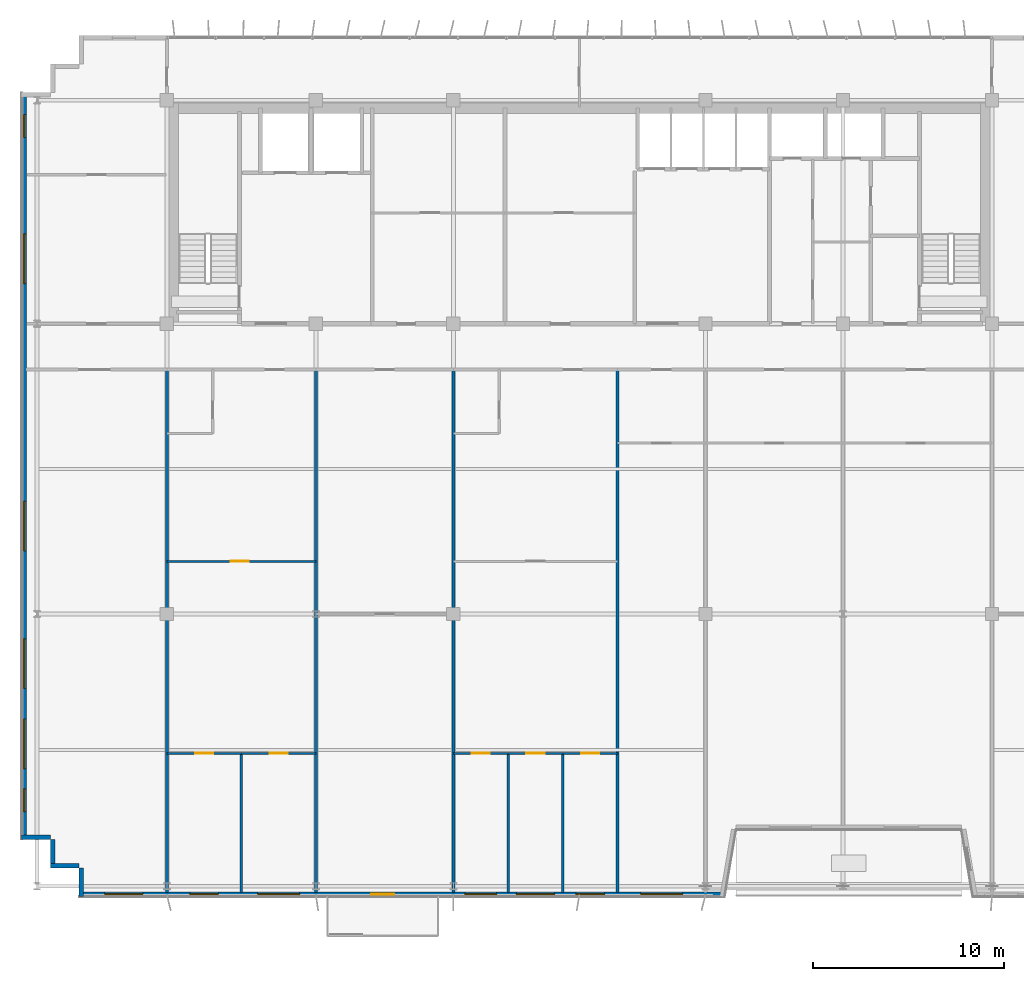
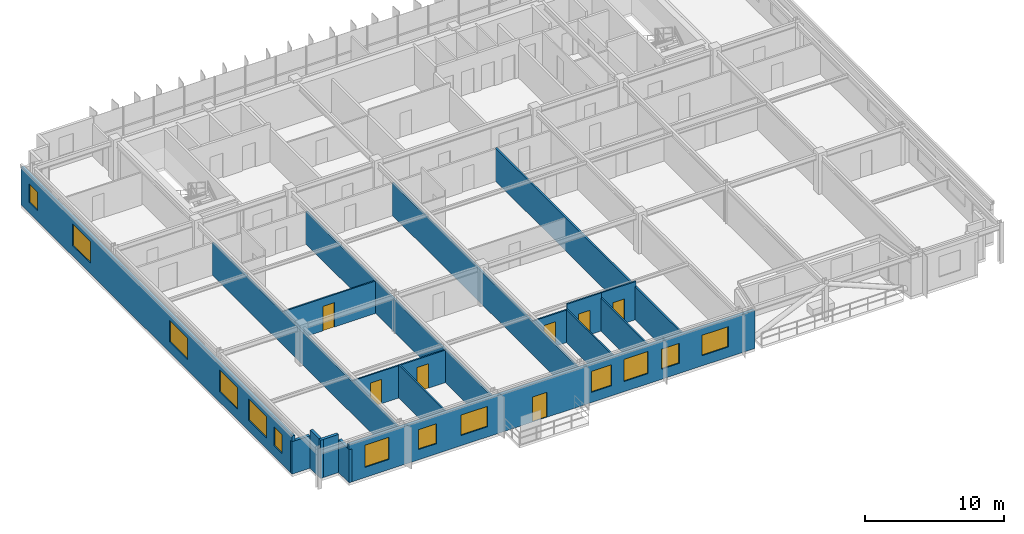
# One storey, part 17 of 23: 19 walls, 13 windows, 7 doors, 20 openings.
"""IFC4 building model written with IfcOpenShell, lengths in metres."""

import ifcopenshell
import ifcopenshell.guid

model = None  # the IFC model being written
_history = None  # IfcOwnerHistory: only IFC2X3 demands one
_inside = {}  # id of a spatial element -> (the spatial element, [elements in it])
_under = {}  # id of a project, library or spatial element -> (it, [spatial elements below it])
_declared = {}  # id of a project -> (the project, [libraries it declares])
_typed = {}  # id of a type object -> (the type object, [elements of that type])
_made_of = {}  # id of a material, layer set ... -> (it, [elements and type objects made of it])


def new_model(schema):
    """Start an empty IFC model of exactly this schema.

    Asked for "IFC4X3", IfcOpenShell would pick the latest addendum, in which some entities
    have other attributes; the version numbers below select the first issue.
    IFC2X3 requires an IfcOwnerHistory on every rooted entity: one is made here for all.
    """
    global model, _history
    if schema == "IFC4X3":
        model = ifcopenshell.file(schema_version=(4, 3, 0, 0))
    else:
        model = ifcopenshell.file(schema=schema)
    _inside.clear()
    _under.clear()
    _declared.clear()
    _typed.clear()
    _made_of.clear()
    _history = None
    if model.schema == "IFC2X3":
        org = make("IfcOrganization", Name="unknown")
        user = make(
            "IfcPersonAndOrganization",
            ThePerson=make("IfcPerson", FamilyName="unknown"),
            TheOrganization=org,
        )
        app = make(
            "IfcApplication",
            ApplicationDeveloper=org,
            Version="unknown",
            ApplicationFullName="unknown",
            ApplicationIdentifier="unknown",
        )
        _history = make(
            "IfcOwnerHistory",
            OwningUser=user,
            OwningApplication=app,
            ChangeAction="ADDED",
            CreationDate=0,
        )
    return model


def make(cls, **values):
    """One entity of the class cls with the attributes given. An attribute that is None is left unset."""
    return model.create_entity(
        cls, **{name: value for name, value in values.items() if value is not None}
    )


def rooted(cls, **values):
    """An entity with a GlobalId (a new one), such as an element, a storey or a relation."""
    return make(cls, GlobalId=ifcopenshell.guid.new(), OwnerHistory=_history, **values)


def si_unit(unit_type, name, prefix=None):
    """IfcSIUnit, for example si_unit("LENGTHUNIT", "METRE", prefix="MILLI")."""
    return make("IfcSIUnit", UnitType=unit_type, Prefix=prefix, Name=name)


def assignment(units):
    """IfcUnitAssignment: the units of a project."""
    return None if units is None else make("IfcUnitAssignment", Units=units)


def point(xyz):
    """IfcCartesianPoint."""
    return None if xyz is None else make("IfcCartesianPoint", Coordinates=xyz)


def direction(xyz):
    """IfcDirection."""
    return None if xyz is None else make("IfcDirection", DirectionRatios=xyz)


def frame(location, z_axis=None, x_axis=None):
    """IfcAxis2Placement3D, a coordinate frame: its origin and axes. An axis left out is left unset."""
    return make(
        "IfcAxis2Placement3D",
        Location=point(location),
        Axis=direction(z_axis),
        RefDirection=direction(x_axis),
    )


def frame_2d(location, x_axis=None):
    """IfcAxis2Placement2D, a coordinate frame in the plane: its origin and x axis."""
    return make(
        "IfcAxis2Placement2D", Location=point(location), RefDirection=direction(x_axis)
    )


def origin():
    """The frame at (0, 0, 0) with its axes left unset."""
    return frame((0.0, 0.0, 0.0))


def place(relative_to, where):
    """IfcLocalPlacement: puts the frame where relative to a parent placement (None: the world)."""
    return make(
        "IfcLocalPlacement", PlacementRelTo=relative_to, RelativePlacement=where
    )


def context(
    kind, dimensions, precision=None, world=None, true_north=None, identifier=None
):
    """IfcGeometricRepresentationContext, for example the 3D "Model" context."""
    return make(
        "IfcGeometricRepresentationContext",
        ContextIdentifier=identifier,
        ContextType=kind,
        CoordinateSpaceDimension=dimensions,
        Precision=precision,
        WorldCoordinateSystem=world,
        TrueNorth=true_north,
    )


def subcontext(parent, identifier, kind, view, scale=None):
    """IfcGeometricRepresentationSubContext, for example "Body" below "Model"."""
    return make(
        "IfcGeometricRepresentationSubContext",
        ContextIdentifier=identifier,
        ContextType=kind,
        ParentContext=parent,
        TargetScale=scale,
        TargetView=view,
    )


def project(units=None, contexts=None):
    """IfcProject with its units and contexts."""
    return rooted(
        "IfcProject",
        Name="project",
        RepresentationContexts=contexts,
        UnitsInContext=assignment(units),
    )


def spatial(cls, under=None, at=None, **own):
    """A site, building, storey or space (cls), placed at a placement, below another one or the project."""
    s = rooted(cls, ObjectPlacement=at, **own)
    if under is not None:
        _under.setdefault(under.id(), (under, []))[1].append(s)
    return s


def profile(cls, at=None, kind="AREA", **sizes):
    """A parametric profile (cls). Its sizes go by their IFC names, for example OverallWidth=200.0."""
    return make(cls, ProfileType=kind, Position=at, **sizes)


def rectangle(**sizes):
    """IfcRectangleProfileDef."""
    return profile("IfcRectangleProfileDef", **sizes)


def extrude(swept, where, along, depth):
    """IfcExtrudedAreaSolid: the profile swept, set in the frame where, extruded along a direction by depth."""
    return make(
        "IfcExtrudedAreaSolid",
        SweptArea=swept,
        Position=where,
        ExtrudedDirection=direction(along),
        Depth=depth,
    )


def shape(context_of_items, identifier, shape_type, items):
    """IfcShapeRepresentation: the items that make up one representation, for example the "Body"."""
    return make(
        "IfcShapeRepresentation",
        ContextOfItems=context_of_items,
        RepresentationIdentifier=identifier,
        RepresentationType=shape_type,
        Items=items,
    )


def source(mapping_origin, context_of_items, identifier, shape_type, items):
    """IfcRepresentationMap: a shape defined once, which mapped items show again and again."""
    return make(
        "IfcRepresentationMap",
        MappingOrigin=mapping_origin,
        MappedRepresentation=shape(context_of_items, identifier, shape_type, items),
    )


def transform(
    local_origin,
    x_axis=None,
    y_axis=None,
    z_axis=None,
    scale=None,
    scale2=None,
    scale3=None,
    uniform=True,
):
    """IfcCartesianTransformationOperator3D, or its non-uniform kind. x_axis, y_axis, z_axis: its Axis1, 2, 3."""
    if uniform:
        return make(
            "IfcCartesianTransformationOperator3D",
            Axis1=direction(x_axis),
            Axis2=direction(y_axis),
            LocalOrigin=point(local_origin),
            Scale=scale,
            Axis3=direction(z_axis),
        )
    return make(
        "IfcCartesianTransformationOperator3DnonUniform",
        Axis1=direction(x_axis),
        Axis2=direction(y_axis),
        LocalOrigin=point(local_origin),
        Scale=scale,
        Axis3=direction(z_axis),
        Scale2=scale2,
        Scale3=scale3,
    )


def mapped(mapping_source, mapping_target):
    """IfcMappedItem: shows the shape of a source again, moved by a transform."""
    return make(
        "IfcMappedItem", MappingSource=mapping_source, MappingTarget=mapping_target
    )


def material(Name=None, Category=None):
    """IfcMaterial."""
    return make("IfcMaterial", Name=Name, Category=Category)


def layer(
    of_material, thickness, ventilated=None, Name=None, Category=None, Priority=None
):
    """IfcMaterialLayer: one layer of a wall or slab, of a material (None: an air gap)."""
    return make(
        "IfcMaterialLayer",
        Material=of_material,
        LayerThickness=thickness,
        IsVentilated=ventilated,
        Name=Name,
        Category=Category,
        Priority=Priority,
    )


def layer_set(layers, Name=None):
    """IfcMaterialLayerSet."""
    return make("IfcMaterialLayerSet", MaterialLayers=layers, LayerSetName=Name)


def made_of(thing, what):
    """Note that an element or type object is made of a material, layer set ...; save() writes the relation."""
    if what is not None:
        _made_of.setdefault(what.id(), (what, []))[1].append(thing)
    return thing


def type_object(cls, material=None, **own):
    """A type object (cls), such as IfcWallType, which elements share."""
    return made_of(rooted(cls, **own), material)


def element(
    cls,
    number,
    at=None,
    inside=None,
    cuts=None,
    type_object=None,
    material=None,
    context=None,
    identifier="Body",
    shape_type=None,
    held_by="IfcProductDefinitionShape",
    body=None,
    shapes=None,
    **own,
):
    """One element of the class cls, such as IfcWall. Its Tag is "e" and its number.

    at: its placement. inside: the storey or other place that contains it. cuts: it is an
    opening in that element (IfcRelVoidsElement). A single representation is given by context,
    identifier, shape_type and body (its items); several are given by shapes. held_by: the class
    of the entity that holds the representations. save() writes the other relations.
    """
    e = rooted(cls, Tag="e%d" % number, ObjectPlacement=at, **own)
    if body is not None:
        shapes = [shape(context, identifier, shape_type, body)]
    if shapes is not None:
        e.Representation = make(held_by, Representations=shapes)
    if inside is not None:
        _inside.setdefault(inside.id(), (inside, []))[1].append(e)
    if cuts is not None:
        rooted(
            "IfcRelVoidsElement", RelatingBuildingElement=cuts, RelatedOpeningElement=e
        )
    if type_object is not None:
        _typed.setdefault(type_object.id(), (type_object, []))[1].append(e)
    return made_of(e, material)


def fill(opening, filler):
    """IfcRelFillsElement: the door or window that sits in an opening."""
    return rooted(
        "IfcRelFillsElement",
        RelatingOpeningElement=opening,
        RelatedBuildingElement=filler,
    )


def aggregate(whole, parts):
    """IfcRelAggregates: a whole, such as a stair, and the parts it consists of."""
    return rooted("IfcRelAggregates", RelatingObject=whole, RelatedObjects=parts)


def save(model, path):
    """Write the relations noted so far, then the file.

    IfcRelAggregates (storeys below a building ...), IfcRelContainedInSpatialStructure (elements
    in a storey), IfcRelDefinesByType, IfcRelAssociatesMaterial and IfcRelDeclares: one each for
    every whole, place, type object, material and project.
    """
    for whole, parts in _under.values():
        aggregate(whole, parts)
    for where, things in _inside.values():
        rooted(
            "IfcRelContainedInSpatialStructure",
            RelatedElements=things,
            RelatingStructure=where,
        )
    for kind, things in _typed.values():
        rooted("IfcRelDefinesByType", RelatedObjects=things, RelatingType=kind)
    for what, things in _made_of.values():
        rooted("IfcRelAssociatesMaterial", RelatedObjects=things, RelatingMaterial=what)
    for by, libraries in _declared.values():
        rooted("IfcRelDeclares", RelatingContext=by, RelatedDefinitions=libraries)
    model.write(path)


model = new_model("IFC4")

# Units and contexts
model_context = context("Model", 3, precision=1e-05, world=origin(), true_north=direction((0.0, 1.0)))
body_context = subcontext(model_context, "Body", "Model", "MODEL_VIEW")
ifc_project = project(units=[si_unit("LENGTHUNIT", "METRE"), si_unit("AREAUNIT", "SQUARE_METRE"), si_unit("VOLUMEUNIT", "CUBIC_METRE"), si_unit("PLANEANGLEUNIT", "RADIAN"), si_unit("MASSUNIT", "GRAM", prefix="KILO")], contexts=[model_context])

# Site, building, storey
site_placement = place(None, origin())
site = spatial("IfcSite", under=ifc_project, at=site_placement, CompositionType="ELEMENT")
building_placement = place(site_placement, origin())
building = spatial("IfcBuilding", under=site, at=building_placement, Name="Trelvane Seafront Commons", CompositionType="ELEMENT")
storey_placement = place(building_placement, frame((0.0, 0.0, 230.10009765625)))
storey = spatial("IfcBuildingStorey", under=building, at=storey_placement, Name="L60", CompositionType="ELEMENT", Elevation=230.10009765625)

# Walls
ifc_material_1 = material(Name="Precast concrete C40/50", Category="concrete")
ifc_layer_1 = layer(ifc_material_1, 0.239990234375, Name="ARCH-WALL-EXT240")
ifc_layer_set_1 = layer_set([ifc_layer_1], Name="Precast concrete C40/50")
wall_type_1 = type_object("IfcWallType", Name="ARCH-WALL-EXT240", PredefinedType="SOLIDWALL", material=ifc_layer_set_1)
for number, where, z_axis, x_axis, name in (
    (1, (11.0, 5.02001953125, 0.0), (0.0, 0.0, 1.0), (-1.0, 0.0, 0.0), "EW-L60-01206"),
    (2, (9.6201171875, 4.89990234375, 0.0), (0.0, 0.0, 1.0), (0.0, 1.0, 0.0), "EW-L60-01207"),
):
    element("IfcWall", number, at=place(storey_placement, frame(where, z_axis=z_axis, x_axis=x_axis)), inside=storey, type_object=wall_type_1, Name=name, PredefinedType="SOLIDWALL", context=body_context, shape_type="SweptSolid", body=[
        extrude(rectangle(XDim=1.5, YDim=0.239990234375, at=frame_2d((0.75, 0.0))), origin(), (0.0, 0.0, 1.0), 3.35986328125),
    ])
wall_1_placement = place(storey_placement, frame((9.5, 6.52001953125, 0.0), z_axis=(0.0, 0.0, 1.0), x_axis=(-1.0, 0.0, 0.0)))
element("IfcWall", 3, at=wall_1_placement, inside=storey, type_object=wall_type_1, Name="EW-L60-01208", PredefinedType="SOLIDWALL", context=body_context, shape_type="SweptSolid", body=[
    extrude(rectangle(XDim=1.5, YDim=0.239990234375, at=frame_2d((0.75, 0.0))), origin(), (0.0, 0.0, 1.0), 2.85986328125),
])

# Wall, openings, windows
wall_2_placement = place(storey_placement, frame((8.1201171875, 6.39990234375, 0.0), z_axis=(0.0, 0.0, 1.0), x_axis=(0.0, 1.0, 0.0)))
wall_2 = element("IfcWall", 4, at=wall_2_placement, inside=storey, type_object=wall_type_1, Name="EW-L60-01209", PredefinedType="SOLIDWALL", context=body_context, shape_type="SweptSolid", body=[
    extrude(rectangle(XDim=39.10009765625, YDim=0.239990234375, at=frame_2d((19.550048828125, 0.0))), origin(), (0.0, 0.0, 1.0), 3.35986328125),
])
opening_1_placement = place(wall_2_placement, frame((1.449951171875, 0.0, 0.919921875)))
opening_1 = element("IfcOpeningElement", 5, at=opening_1_placement, cuts=wall_2, Name="Opening W05", PredefinedType="OPENING", context=body_context, shape_type="SweptSolid", body=[
    extrude(rectangle(XDim=1.199951171875, YDim=1.64990234375, at=frame_2d((0.60009765625, 0.824951171875))), frame((0.0, 0.1298828125, 0.0), z_axis=(0.0, -1.0, 0.0), x_axis=(1.0, 0.0, 0.0)), (0.0, 0.0, 1.0), 0.260009765625),
])
opening_2_placement = place(wall_2_placement, frame((3.699951171875, 0.0, 0.919921875)))
opening_2 = element("IfcOpeningElement", 6, at=opening_2_placement, cuts=wall_2, Name="Opening W04", PredefinedType="OPENING", context=body_context, shape_type="SweptSolid", body=[
    extrude(rectangle(XDim=2.60009765625, YDim=1.89990234375, at=frame_2d((1.300048828125, 0.949951171875))), frame((0.0, 0.1298828125, 0.0), z_axis=(0.0, -1.0, 0.0), x_axis=(1.0, 0.0, 0.0)), (0.0, 0.0, 1.0), 0.260009765625),
])
opening_3_placement = place(wall_2_placement, frame((7.89990234375, 0.0, 0.919921875)))
opening_3 = element("IfcOpeningElement", 7, at=opening_3_placement, cuts=wall_2, Name="Opening W04", PredefinedType="OPENING", context=body_context, shape_type="SweptSolid", body=[
    extrude(rectangle(XDim=2.60009765625, YDim=1.89990234375, at=frame_2d((1.300048828125, 0.949951171875))), frame((0.0, 0.1298828125, 0.0), z_axis=(0.0, -1.0, 0.0), x_axis=(1.0, 0.0, 0.0)), (0.0, 0.0, 1.0), 0.260009765625),
])
opening_4_placement = place(wall_2_placement, frame((15.10009765625, 0.0, 0.919921875)))
opening_4 = element("IfcOpeningElement", 8, at=opening_4_placement, cuts=wall_2, Name="Opening W04", PredefinedType="OPENING", context=body_context, shape_type="SweptSolid", body=[
    extrude(rectangle(XDim=2.60009765625, YDim=1.89990234375, at=frame_2d((1.300048828125, 0.949951171875))), frame((0.0, 0.1298828125, 0.0), z_axis=(0.0, -1.0, 0.0), x_axis=(1.0, 0.0, 0.0)), (0.0, 0.0, 1.0), 0.260009765625),
])
opening_5_placement = place(wall_2_placement, frame((29.10009765625, 0.0, 0.919921875)))
opening_5 = element("IfcOpeningElement", 9, at=opening_5_placement, cuts=wall_2, Name="Opening W04", PredefinedType="OPENING", context=body_context, shape_type="SweptSolid", body=[
    extrude(rectangle(XDim=2.60009765625, YDim=1.89990234375, at=frame_2d((1.300048828125, 0.949951171875))), frame((0.0, 0.1298828125, 0.0), z_axis=(0.0, -1.0, 0.0), x_axis=(1.0, 0.0, 0.0)), (0.0, 0.0, 1.0), 0.260009765625),
])
opening_6_placement = place(wall_2_placement, frame((36.75, 0.0, 0.919921875)))
opening_6 = element("IfcOpeningElement", 10, at=opening_6_placement, cuts=wall_2, Name="Opening W05", PredefinedType="OPENING", context=body_context, shape_type="SweptSolid", body=[
    extrude(rectangle(XDim=1.199951171875, YDim=1.64990234375, at=frame_2d((0.60009765625, 0.824951171875))), frame((0.0, 0.1298828125, 0.0), z_axis=(0.0, -1.0, 0.0), x_axis=(1.0, 0.0, 0.0)), (0.0, 0.0, 1.0), 0.260009765625),
])
ifc_material_2 = material(Name="Low-E coastal double glazing", Category="glass")
window_type_1 = type_object("IfcWindowType", Name="ARCH-WIN-W04", PartitioningType="SINGLE_PANEL", PredefinedType="WINDOW", material=ifc_material_2)
shared_shape_1 = source(origin(), body_context, "Body", "SweptSolid", [
    extrude(rectangle(XDim=2.60009765625, YDim=1.89990234375, at=frame_2d((1.300048828125, 0.949951171875))), frame((0.0, 0.030029296875, 0.0), z_axis=(0.0, -1.0, 0.0), x_axis=(1.0, 0.0, 0.0)), (0.0, 0.0, 1.0), 0.06005859375),
])
window_1_placement = place(opening_2_placement, origin())
window_1 = element("IfcWindow", 11, at=window_1_placement, inside=storey, type_object=window_type_1, Name="WIN-L60-EW-01466", OverallHeight=1.89990234375, OverallWidth=2.60009765625, PartitioningType="SINGLE_PANEL", PredefinedType="WINDOW", context=body_context, shape_type="MappedRepresentation", body=[
    mapped(shared_shape_1, transform((0.0, 0.0, 0.0), x_axis=(1.0, 0.0, 0.0), y_axis=(0.0, 1.0, 0.0), z_axis=(0.0, 0.0, 1.0), scale=1.0)),
])
fill(opening_2, window_1)
window_2_placement = place(opening_3_placement, origin())
window_2 = element("IfcWindow", 12, at=window_2_placement, inside=storey, type_object=window_type_1, Name="WIN-L60-EW-01467", OverallHeight=1.89990234375, OverallWidth=2.60009765625, PartitioningType="SINGLE_PANEL", PredefinedType="WINDOW", context=body_context, shape_type="MappedRepresentation", body=[
    mapped(shared_shape_1, transform((0.0, 0.0, 0.0), x_axis=(1.0, 0.0, 0.0), y_axis=(0.0, 1.0, 0.0), z_axis=(0.0, 0.0, 1.0), scale=1.0)),
])
fill(opening_3, window_2)
window_3_placement = place(opening_4_placement, origin())
window_3 = element("IfcWindow", 13, at=window_3_placement, inside=storey, type_object=window_type_1, Name="WIN-L60-EW-01468", OverallHeight=1.89990234375, OverallWidth=2.60009765625, PartitioningType="SINGLE_PANEL", PredefinedType="WINDOW", context=body_context, shape_type="MappedRepresentation", body=[
    mapped(shared_shape_1, transform((0.0, 0.0, 0.0), x_axis=(1.0, 0.0, 0.0), y_axis=(0.0, 1.0, 0.0), z_axis=(0.0, 0.0, 1.0), scale=1.0)),
])
fill(opening_4, window_3)
window_4_placement = place(opening_5_placement, origin())
window_4 = element("IfcWindow", 14, at=window_4_placement, inside=storey, type_object=window_type_1, Name="WIN-L60-EW-01469", OverallHeight=1.89990234375, OverallWidth=2.60009765625, PartitioningType="SINGLE_PANEL", PredefinedType="WINDOW", context=body_context, shape_type="MappedRepresentation", body=[
    mapped(shared_shape_1, transform((0.0, 0.0, 0.0), x_axis=(1.0, 0.0, 0.0), y_axis=(0.0, 1.0, 0.0), z_axis=(0.0, 0.0, 1.0), scale=1.0)),
])
fill(opening_5, window_4)
window_type_2 = type_object("IfcWindowType", Name="ARCH-WIN-W05", PartitioningType="SINGLE_PANEL", PredefinedType="WINDOW", material=ifc_material_2)
shared_shape_2 = source(origin(), body_context, "Body", "SweptSolid", [
    extrude(rectangle(XDim=1.199951171875, YDim=1.64990234375, at=frame_2d((0.60009765625, 0.824951171875))), frame((0.0, 0.030029296875, 0.0), z_axis=(0.0, -1.0, 0.0), x_axis=(1.0, 0.0, 0.0)), (0.0, 0.0, 1.0), 0.06005859375),
])
window_5_placement = place(opening_1_placement, origin())
window_5 = element("IfcWindow", 15, at=window_5_placement, inside=storey, type_object=window_type_2, Name="WIN-L60-EW-01465", OverallHeight=1.64990234375, OverallWidth=1.199951171875, PartitioningType="SINGLE_PANEL", PredefinedType="WINDOW", context=body_context, shape_type="MappedRepresentation", body=[
    mapped(shared_shape_2, transform((0.0, 0.0, 0.0), x_axis=(1.0, 0.0, 0.0), y_axis=(0.0, 1.0, 0.0), z_axis=(0.0, 0.0, 1.0), scale=1.0)),
])
fill(opening_1, window_5)
window_6_placement = place(opening_6_placement, origin())
window_6 = element("IfcWindow", 16, at=window_6_placement, inside=storey, type_object=window_type_2, Name="WIN-L60-EW-01470", OverallHeight=1.64990234375, OverallWidth=1.199951171875, PartitioningType="SINGLE_PANEL", PredefinedType="WINDOW", context=body_context, shape_type="MappedRepresentation", body=[
    mapped(shared_shape_2, transform((0.0, 0.0, 0.0), x_axis=(1.0, 0.0, 0.0), y_axis=(0.0, 1.0, 0.0), z_axis=(0.0, 0.0, 1.0), scale=1.0)),
])
fill(opening_6, window_6)

# Wall, openings, door, windows
wall_3_placement = place(storey_placement, frame((44.800048828125, 3.52001953125, 0.0), z_axis=(0.0, 0.0, 1.0), x_axis=(-1.0, 0.0, 0.0)))
wall_3 = element("IfcWall", 17, at=wall_3_placement, inside=storey, type_object=wall_type_1, Name="EW-L60-01227", PredefinedType="SOLIDWALL", context=body_context, shape_type="SweptSolid", body=[
    extrude(rectangle(XDim=33.800048828125, YDim=0.239990234375, at=frame_2d((16.89990234375, 0.0))), origin(), (0.0, 0.0, 1.0), 3.35986328125),
])
opening_7_placement = place(wall_3_placement, frame((2.199951171875, 0.0, 0.89990234375)))
opening_7 = element("IfcOpeningElement", 18, at=opening_7_placement, cuts=wall_3, Name="Opening W02", PredefinedType="OPENING", context=body_context, shape_type="SweptSolid", body=[
    extrude(rectangle(XDim=2.199951171875, YDim=1.800048828125, at=frame_2d((1.10009765625, 0.89990234375))), frame((0.0, 0.1298828125, 0.0), z_axis=(0.0, -1.0, 0.0), x_axis=(1.0, 0.0, 0.0)), (0.0, 0.0, 1.0), 0.260009765625),
])
opening_8_placement = place(wall_3_placement, frame((6.283935546875, 0.0, 0.89990234375)))
opening_8 = element("IfcOpeningElement", 19, at=opening_8_placement, cuts=wall_3, Name="Opening W03", PredefinedType="OPENING", context=body_context, shape_type="SweptSolid", body=[
    extrude(rectangle(XDim=1.5, YDim=1.75, at=frame_2d((0.75, 0.875))), frame((0.0, 0.1298828125, 0.0), z_axis=(0.0, -1.0, 0.0), x_axis=(1.0, 0.0, 0.0)), (0.0, 0.0, 1.0), 0.260009765625),
])
opening_9_placement = place(wall_3_placement, frame((8.89990234375, 0.0, 0.89990234375)))
opening_9 = element("IfcOpeningElement", 20, at=opening_9_placement, cuts=wall_3, Name="Opening W06", PredefinedType="OPENING", context=body_context, shape_type="SweptSolid", body=[
    extrude(rectangle(XDim=2.0, YDim=1.949951171875, at=frame_2d((1.0, 0.97509765625))), frame((0.0, 0.1298828125, 0.0), z_axis=(0.0, -1.0, 0.0), x_axis=(1.0, 0.0, 0.0)), (0.0, 0.0, 1.0), 0.260009765625),
])
opening_10_placement = place(wall_3_placement, frame((11.94091796875, 0.0, 0.89990234375)))
opening_10 = element("IfcOpeningElement", 21, at=opening_10_placement, cuts=wall_3, Name="Opening W07", PredefinedType="OPENING", context=body_context, shape_type="SweptSolid", body=[
    extrude(rectangle(XDim=1.64990234375, YDim=1.85009765625, at=frame_2d((0.824951171875, 0.925048828125))), frame((0.0, 0.1298828125, 0.0), z_axis=(0.0, -1.0, 0.0), x_axis=(1.0, 0.0, 0.0)), (0.0, 0.0, 1.0), 0.260009765625),
])
opening_11_placement = place(wall_3_placement, frame((17.291015625, 0.0, 0.0)))
opening_11 = element("IfcOpeningElement", 22, at=opening_11_placement, cuts=wall_3, Name="Opening BD-L60-127", PredefinedType="OPENING", context=body_context, shape_type="SweptSolid", body=[
    extrude(rectangle(XDim=1.199951171875, YDim=2.199951171875, at=frame_2d((0.60009765625, 1.10009765625))), frame((0.0, 0.1298828125, 0.0), z_axis=(0.0, -1.0, 0.0), x_axis=(1.0, 0.0, 0.0)), (0.0, 0.0, 1.0), 0.260009765625),
])
opening_12_placement = place(wall_3_placement, frame((22.25, 0.0, 0.89990234375)))
opening_12 = element("IfcOpeningElement", 23, at=opening_12_placement, cuts=wall_3, Name="Opening W02", PredefinedType="OPENING", context=body_context, shape_type="SweptSolid", body=[
    extrude(rectangle(XDim=2.199951171875, YDim=1.800048828125, at=frame_2d((1.10009765625, 0.89990234375))), frame((0.0, 0.1298828125, 0.0), z_axis=(0.0, -1.0, 0.0), x_axis=(1.0, 0.0, 0.0)), (0.0, 0.0, 1.0), 0.260009765625),
])
opening_13_placement = place(wall_3_placement, frame((26.5, 0.0, 0.89990234375)))
opening_13 = element("IfcOpeningElement", 24, at=opening_13_placement, cuts=wall_3, Name="Opening W03", PredefinedType="OPENING", context=body_context, shape_type="SweptSolid", body=[
    extrude(rectangle(XDim=1.5, YDim=1.75, at=frame_2d((0.75, 0.875))), frame((0.0, 0.1298828125, 0.0), z_axis=(0.0, -1.0, 0.0), x_axis=(1.0, 0.0, 0.0)), (0.0, 0.0, 1.0), 0.260009765625),
])
opening_14_placement = place(wall_3_placement, frame((30.455078125, 0.0, 0.89990234375)))
opening_14 = element("IfcOpeningElement", 25, at=opening_14_placement, cuts=wall_3, Name="Opening W06", PredefinedType="OPENING", context=body_context, shape_type="SweptSolid", body=[
    extrude(rectangle(XDim=2.0, YDim=1.949951171875, at=frame_2d((1.0, 0.97509765625))), frame((0.0, 0.1298828125, 0.0), z_axis=(0.0, -1.0, 0.0), x_axis=(1.0, 0.0, 0.0)), (0.0, 0.0, 1.0), 0.260009765625),
])
ifc_material_3 = material(Name="Powder-coated aluminium frame", Category="aluminium")
door_type_1 = type_object("IfcDoorType", Name="ARCH-DR-BAL1200", OperationType="NOTDEFINED", PredefinedType="DOOR", material=ifc_material_3)
shared_shape_3 = source(origin(), body_context, "Body", "SweptSolid", [
    extrude(rectangle(XDim=1.199951171875, YDim=2.199951171875, at=frame_2d((0.60009765625, 1.10009765625))), frame((0.0, 0.02490234375, 0.0), z_axis=(0.0, -1.0, 0.0), x_axis=(1.0, 0.0, 0.0)), (0.0, 0.0, 1.0), 0.050048828125),
])
door_1_placement = place(opening_11_placement, origin())
door_1 = element("IfcDoor", 26, at=door_1_placement, inside=storey, type_object=door_type_1, Name="L60 Balcony Terrace Access Door", OperationType="SINGLE_SWING_LEFT", OverallHeight=2.199951171875, OverallWidth=1.199951171875, PredefinedType="DOOR", context=body_context, shape_type="MappedRepresentation", body=[
    mapped(shared_shape_3, transform((0.0, 0.0, 0.0), x_axis=(1.0, 0.0, 0.0), y_axis=(0.0, 1.0, 0.0), z_axis=(0.0, 0.0, 1.0), scale=1.0)),
])
fill(opening_11, door_1)
window_type_3 = type_object("IfcWindowType", Name="ARCH-WIN-W02", PartitioningType="SINGLE_PANEL", PredefinedType="WINDOW", material=ifc_material_2)
shared_shape_4 = source(origin(), body_context, "Body", "SweptSolid", [
    extrude(rectangle(XDim=2.199951171875, YDim=1.800048828125, at=frame_2d((1.10009765625, 0.89990234375))), frame((0.0, 0.030029296875, 0.0), z_axis=(0.0, -1.0, 0.0), x_axis=(1.0, 0.0, 0.0)), (0.0, 0.0, 1.0), 0.06005859375),
])
window_7_placement = place(opening_7_placement, origin())
window_7 = element("IfcWindow", 27, at=window_7_placement, inside=storey, type_object=window_type_3, Name="WIN-L60-01481", OverallHeight=1.800048828125, OverallWidth=2.199951171875, PartitioningType="SINGLE_PANEL", PredefinedType="WINDOW", context=body_context, shape_type="MappedRepresentation", body=[
    mapped(shared_shape_4, transform((0.0, 0.0, 0.0), x_axis=(1.0, 0.0, 0.0), y_axis=(0.0, 1.0, 0.0), z_axis=(0.0, 0.0, 1.0), scale=1.0)),
])
fill(opening_7, window_7)
window_8_placement = place(opening_12_placement, origin())
window_8 = element("IfcWindow", 28, at=window_8_placement, inside=storey, type_object=window_type_3, Name="WIN-L60-01485", OverallHeight=1.800048828125, OverallWidth=2.199951171875, PartitioningType="SINGLE_PANEL", PredefinedType="WINDOW", context=body_context, shape_type="MappedRepresentation", body=[
    mapped(shared_shape_4, transform((0.0, 0.0, 0.0), x_axis=(1.0, 0.0, 0.0), y_axis=(0.0, 1.0, 0.0), z_axis=(0.0, 0.0, 1.0), scale=1.0)),
])
fill(opening_12, window_8)
window_type_4 = type_object("IfcWindowType", Name="ARCH-WIN-W03", PartitioningType="SINGLE_PANEL", PredefinedType="WINDOW", material=ifc_material_2)
shared_shape_5 = source(origin(), body_context, "Body", "SweptSolid", [
    extrude(rectangle(XDim=1.5, YDim=1.75, at=frame_2d((0.75, 0.875))), frame((0.0, 0.030029296875, 0.0), z_axis=(0.0, -1.0, 0.0), x_axis=(1.0, 0.0, 0.0)), (0.0, 0.0, 1.0), 0.06005859375),
])
window_9_placement = place(opening_8_placement, origin())
window_9 = element("IfcWindow", 29, at=window_9_placement, inside=storey, type_object=window_type_4, Name="WIN-L60-01482", OverallHeight=1.75, OverallWidth=1.5, PartitioningType="SINGLE_PANEL", PredefinedType="WINDOW", context=body_context, shape_type="MappedRepresentation", body=[
    mapped(shared_shape_5, transform((0.0, 0.0, 0.0), x_axis=(1.0, 0.0, 0.0), y_axis=(0.0, 1.0, 0.0), z_axis=(0.0, 0.0, 1.0), scale=1.0)),
])
fill(opening_8, window_9)
window_10_placement = place(opening_13_placement, origin())
window_10 = element("IfcWindow", 30, at=window_10_placement, inside=storey, type_object=window_type_4, Name="WIN-L60-01486", OverallHeight=1.75, OverallWidth=1.5, PartitioningType="SINGLE_PANEL", PredefinedType="WINDOW", context=body_context, shape_type="MappedRepresentation", body=[
    mapped(shared_shape_5, transform((0.0, 0.0, 0.0), x_axis=(1.0, 0.0, 0.0), y_axis=(0.0, 1.0, 0.0), z_axis=(0.0, 0.0, 1.0), scale=1.0)),
])
fill(opening_13, window_10)
window_type_5 = type_object("IfcWindowType", Name="ARCH-WIN-W06", PartitioningType="SINGLE_PANEL", PredefinedType="WINDOW", material=ifc_material_2)
shared_shape_6 = source(origin(), body_context, "Body", "SweptSolid", [
    extrude(rectangle(XDim=2.0, YDim=1.949951171875, at=frame_2d((1.0, 0.97509765625))), frame((0.0, 0.030029296875, 0.0), z_axis=(0.0, -1.0, 0.0), x_axis=(1.0, 0.0, 0.0)), (0.0, 0.0, 1.0), 0.06005859375),
])
window_11_placement = place(opening_9_placement, origin())
window_11 = element("IfcWindow", 31, at=window_11_placement, inside=storey, type_object=window_type_5, Name="WIN-L60-01483", OverallHeight=1.949951171875, OverallWidth=2.0, PartitioningType="SINGLE_PANEL", PredefinedType="WINDOW", context=body_context, shape_type="MappedRepresentation", body=[
    mapped(shared_shape_6, transform((0.0, 0.0, 0.0), x_axis=(1.0, 0.0, 0.0), y_axis=(0.0, 1.0, 0.0), z_axis=(0.0, 0.0, 1.0), scale=1.0)),
])
fill(opening_9, window_11)
window_12_placement = place(opening_14_placement, origin())
window_12 = element("IfcWindow", 32, at=window_12_placement, inside=storey, type_object=window_type_5, Name="WIN-L60-01487", OverallHeight=1.949951171875, OverallWidth=2.0, PartitioningType="SINGLE_PANEL", PredefinedType="WINDOW", context=body_context, shape_type="MappedRepresentation", body=[
    mapped(shared_shape_6, transform((0.0, 0.0, 0.0), x_axis=(1.0, 0.0, 0.0), y_axis=(0.0, 1.0, 0.0), z_axis=(0.0, 0.0, 1.0), scale=1.0)),
])
fill(opening_14, window_12)
window_type_6 = type_object("IfcWindowType", Name="ARCH-WIN-W07", PartitioningType="SINGLE_PANEL", PredefinedType="WINDOW", material=ifc_material_2)
shared_shape_7 = source(origin(), body_context, "Body", "SweptSolid", [
    extrude(rectangle(XDim=1.64990234375, YDim=1.85009765625, at=frame_2d((0.824951171875, 0.925048828125))), frame((0.0, 0.030029296875, 0.0), z_axis=(0.0, -1.0, 0.0), x_axis=(1.0, 0.0, 0.0)), (0.0, 0.0, 1.0), 0.06005859375),
])
window_13_placement = place(opening_10_placement, origin())
window_13 = element("IfcWindow", 33, at=window_13_placement, inside=storey, type_object=window_type_6, Name="WIN-L60-01484", OverallHeight=1.85009765625, OverallWidth=1.64990234375, PartitioningType="SINGLE_PANEL", PredefinedType="WINDOW", context=body_context, shape_type="MappedRepresentation", body=[
    mapped(shared_shape_7, transform((0.0, 0.0, 0.0), x_axis=(1.0, 0.0, 0.0), y_axis=(0.0, 1.0, 0.0), z_axis=(0.0, 0.0, 1.0), scale=1.0)),
])
fill(opening_10, window_13)

# Wall
wall_4_placement = place(storey_placement, frame((11.1201171875, 3.39990234375, 0.0), z_axis=(0.0, 0.0, 1.0), x_axis=(0.0, 1.0, 0.0)))
element("IfcWall", 34, at=wall_4_placement, inside=storey, type_object=wall_type_1, Name="EW-L60-01228", PredefinedType="SOLIDWALL", context=body_context, shape_type="SweptSolid", body=[
    extrude(rectangle(XDim=1.5, YDim=0.239990234375, at=frame_2d((0.75, 0.0))), origin(), (0.0, 0.0, 1.0), 2.909912109375),
])

# Wall, opening, door
ifc_material_4 = material(Name="Gypsum Drywall Acoustic Partition")
ifc_layer_2 = layer(ifc_material_4, 0.1201171875, Name="ARCH-WALL-PART120")
ifc_layer_set_2 = layer_set([ifc_layer_2], Name="Gypsum Drywall Acoustic Partition")
wall_type_2 = type_object("IfcWallType", Name="ARCH-WALL-PART120", PredefinedType="PARTITIONING", material=ifc_layer_set_2)
wall_5_placement = place(storey_placement, frame((15.60009765625, 20.949951171875, 0.0), z_axis=(0.0, 0.0, 1.0), x_axis=(1.0, 0.0, 0.0)))
wall_5 = element("IfcWall", 35, at=wall_5_placement, inside=storey, type_object=wall_type_2, Name="W-L60-U2-KL-049", PredefinedType="PARTITIONING", context=body_context, shape_type="SweptSolid", body=[
    extrude(rectangle(XDim=7.7998046875, YDim=0.1201171875, at=frame_2d((3.89990234375, 0.0))), origin(), (0.0, 0.0, 1.0), 2.85986328125),
])
opening_15_placement = place(wall_5_placement, frame((3.3330078125, 0.0, 0.0)))
opening_15 = element("IfcOpeningElement", 36, at=opening_15_placement, cuts=wall_5, Name="Opening D-L60-29", PredefinedType="OPENING", context=body_context, shape_type="SweptSolid", body=[
    extrude(rectangle(XDim=0.949951171875, YDim=2.14990234375, at=frame_2d((0.47509765625, 1.074951171875))), frame((0.0, 0.070068359375, 0.0), z_axis=(0.0, -1.0, 0.0), x_axis=(1.0, 0.0, 0.0)), (0.0, 0.0, 1.0), 0.14013671875),
])
ifc_material_5 = material(Name="Acoustic timber door leaf", Category="wood")
door_type_2 = type_object("IfcDoorType", Name="ARCH-DR-INT950", OperationType="NOTDEFINED", PredefinedType="DOOR", material=ifc_material_5)
shared_shape_8 = source(origin(), body_context, "Body", "SweptSolid", [
    extrude(rectangle(XDim=0.949951171875, YDim=2.14990234375, at=frame_2d((0.47509765625, 1.074951171875))), frame((0.0, 0.02490234375, 0.0), z_axis=(0.0, -1.0, 0.0), x_axis=(1.0, 0.0, 0.0)), (0.0, 0.0, 1.0), 0.050048828125),
])
door_2_placement = place(opening_15_placement, origin())
door_2 = element("IfcDoor", 37, at=door_2_placement, inside=storey, type_object=door_type_2, Name="L60 Door 29", OperationType="SINGLE_SWING_LEFT", OverallHeight=2.14990234375, OverallWidth=0.949951171875, PredefinedType="DOOR", context=body_context, shape_type="MappedRepresentation", body=[
    mapped(shared_shape_8, transform((0.0, 0.0, 0.0), x_axis=(1.0, 0.0, 0.0), y_axis=(0.0, 1.0, 0.0), z_axis=(0.0, 0.0, 1.0), scale=1.0)),
])
fill(opening_15, door_2)

wall_6_placement = place(storey_placement, frame((15.60009765625, 10.89990234375, 0.0), z_axis=(0.0, 0.0, 1.0), x_axis=(1.0, 0.0, 0.0)))
wall_6 = element("IfcWall", 38, at=wall_6_placement, inside=storey, type_object=wall_type_2, Name="W-L60-U2-YM-1-053", PredefinedType="PARTITIONING", context=body_context, shape_type="SweptSolid", body=[
    extrude(rectangle(XDim=3.89990234375, YDim=0.1201171875, at=frame_2d((1.949951171875, 0.0))), origin(), (0.0, 0.0, 1.0), 2.85986328125),
])
opening_16_placement = place(wall_6_placement, frame((1.47509765625, 0.0, 0.0)))
opening_16 = element("IfcOpeningElement", 39, at=opening_16_placement, cuts=wall_6, Name="Opening D-L60-32", PredefinedType="OPENING", context=body_context, shape_type="SweptSolid", body=[
    extrude(rectangle(XDim=0.949951171875, YDim=2.14990234375, at=frame_2d((0.47509765625, 1.074951171875))), frame((0.0, 0.070068359375, 0.0), z_axis=(0.0, -1.0, 0.0), x_axis=(1.0, 0.0, 0.0)), (0.0, 0.0, 1.0), 0.14013671875),
])
door_3_placement = place(opening_16_placement, origin())
door_3 = element("IfcDoor", 40, at=door_3_placement, inside=storey, type_object=door_type_2, Name="L60 Door 32", OperationType="SINGLE_SWING_RIGHT", OverallHeight=2.14990234375, OverallWidth=0.949951171875, PredefinedType="DOOR", context=body_context, shape_type="MappedRepresentation", body=[
    mapped(shared_shape_8, transform((0.0, 0.0, 0.0), x_axis=(1.0, 0.0, 0.0), y_axis=(0.0, 1.0, 0.0), z_axis=(0.0, 0.0, 1.0), scale=1.0)),
])
fill(opening_16, door_3)

wall_7_placement = place(storey_placement, frame((19.5, 10.89990234375, 0.0), z_axis=(0.0, 0.0, 1.0), x_axis=(1.0, 0.0, 0.0)))
wall_7 = element("IfcWall", 41, at=wall_7_placement, inside=storey, type_object=wall_type_2, Name="W-L60-U2-YM-2-054", PredefinedType="PARTITIONING", context=body_context, shape_type="SweptSolid", body=[
    extrude(rectangle(XDim=3.89990234375, YDim=0.1201171875, at=frame_2d((1.949951171875, 0.0))), origin(), (0.0, 0.0, 1.0), 2.85986328125),
])
opening_17_placement = place(wall_7_placement, frame((1.47509765625, 0.0, 0.0)))
opening_17 = element("IfcOpeningElement", 42, at=opening_17_placement, cuts=wall_7, Name="Opening D-L60-33", PredefinedType="OPENING", context=body_context, shape_type="SweptSolid", body=[
    extrude(rectangle(XDim=0.949951171875, YDim=2.14990234375, at=frame_2d((0.47509765625, 1.074951171875))), frame((0.0, 0.070068359375, 0.0), z_axis=(0.0, -1.0, 0.0), x_axis=(1.0, 0.0, 0.0)), (0.0, 0.0, 1.0), 0.14013671875),
])
door_4_placement = place(opening_17_placement, origin())
door_4 = element("IfcDoor", 43, at=door_4_placement, inside=storey, type_object=door_type_2, Name="L60 Door 33", OperationType="SINGLE_SWING_LEFT", OverallHeight=2.14990234375, OverallWidth=0.949951171875, PredefinedType="DOOR", context=body_context, shape_type="MappedRepresentation", body=[
    mapped(shared_shape_8, transform((0.0, 0.0, 0.0), x_axis=(1.0, 0.0, 0.0), y_axis=(0.0, 1.0, 0.0), z_axis=(0.0, 0.0, 1.0), scale=1.0)),
])
fill(opening_17, door_4)

# Wall
wall_8_placement = place(storey_placement, frame((19.5, 3.625, 0.0), z_axis=(0.0, 0.0, 1.0), x_axis=(0.0, 1.0, 0.0)))
element("IfcWall", 44, at=wall_8_placement, inside=storey, type_object=wall_type_2, Name="W-L60-U2-BDV-1-055", PredefinedType="PARTITIONING", context=body_context, shape_type="SweptSolid", body=[
    extrude(rectangle(XDim=7.27490234375, YDim=0.1201171875, at=frame_2d((3.637451171875, 0.0))), origin(), (0.0, 0.0, 1.0), 2.909912109375),
])

# Wall, opening, door
wall_9_placement = place(storey_placement, frame((30.60009765625, 10.89990234375, 0.0), z_axis=(0.0, 0.0, 1.0), x_axis=(1.0, 0.0, 0.0)))
wall_9 = element("IfcWall", 45, at=wall_9_placement, inside=storey, type_object=wall_type_2, Name="W-L60-U4-YM-1-062", PredefinedType="PARTITIONING", context=body_context, shape_type="SweptSolid", body=[
    extrude(rectangle(XDim=2.866943359375, YDim=0.1201171875, at=frame_2d((1.43359375, 0.0))), origin(), (0.0, 0.0, 1.0), 2.85986328125),
])
opening_18_placement = place(wall_9_placement, frame((0.9580078125, 0.0, 0.0)))
opening_18 = element("IfcOpeningElement", 46, at=opening_18_placement, cuts=wall_9, Name="Opening D-L60-39", PredefinedType="OPENING", context=body_context, shape_type="SweptSolid", body=[
    extrude(rectangle(XDim=0.949951171875, YDim=2.14990234375, at=frame_2d((0.47509765625, 1.074951171875))), frame((0.0, 0.070068359375, 0.0), z_axis=(0.0, -1.0, 0.0), x_axis=(1.0, 0.0, 0.0)), (0.0, 0.0, 1.0), 0.14013671875),
])
door_5_placement = place(opening_18_placement, origin())
door_5 = element("IfcDoor", 47, at=door_5_placement, inside=storey, type_object=door_type_2, Name="L60 Door 39", OperationType="SINGLE_SWING_LEFT", OverallHeight=2.14990234375, OverallWidth=0.949951171875, PredefinedType="DOOR", context=body_context, shape_type="MappedRepresentation", body=[
    mapped(shared_shape_8, transform((0.0, 0.0, 0.0), x_axis=(1.0, 0.0, 0.0), y_axis=(0.0, 1.0, 0.0), z_axis=(0.0, 0.0, 1.0), scale=1.0)),
])
fill(opening_18, door_5)

wall_10_placement = place(storey_placement, frame((33.467041015625, 10.89990234375, 0.0), z_axis=(0.0, 0.0, 1.0), x_axis=(1.0, 0.0, 0.0)))
wall_10 = element("IfcWall", 48, at=wall_10_placement, inside=storey, type_object=wall_type_2, Name="W-L60-U4-YM-2-063", PredefinedType="PARTITIONING", context=body_context, shape_type="SweptSolid", body=[
    extrude(rectangle(XDim=2.865966796875, YDim=0.1201171875, at=frame_2d((1.43310546875, 0.0))), origin(), (0.0, 0.0, 1.0), 3.35986328125),
])
opening_19_placement = place(wall_10_placement, frame((0.9580078125, 0.0, 0.0)))
opening_19 = element("IfcOpeningElement", 49, at=opening_19_placement, cuts=wall_10, Name="Opening D-L60-40", PredefinedType="OPENING", context=body_context, shape_type="SweptSolid", body=[
    extrude(rectangle(XDim=0.949951171875, YDim=2.14990234375, at=frame_2d((0.47509765625, 1.074951171875))), frame((0.0, 0.070068359375, 0.0), z_axis=(0.0, -1.0, 0.0), x_axis=(1.0, 0.0, 0.0)), (0.0, 0.0, 1.0), 0.14013671875),
])
door_6_placement = place(opening_19_placement, origin())
door_6 = element("IfcDoor", 50, at=door_6_placement, inside=storey, type_object=door_type_2, Name="L60 Door 40", OperationType="SINGLE_SWING_RIGHT", OverallHeight=2.14990234375, OverallWidth=0.949951171875, PredefinedType="DOOR", context=body_context, shape_type="MappedRepresentation", body=[
    mapped(shared_shape_8, transform((0.0, 0.0, 0.0), x_axis=(1.0, 0.0, 0.0), y_axis=(0.0, 1.0, 0.0), z_axis=(0.0, 0.0, 1.0), scale=1.0)),
])
fill(opening_19, door_6)

# Wall
wall_11_placement = place(storey_placement, frame((33.467041015625, 3.625, 0.0), z_axis=(0.0, 0.0, 1.0), x_axis=(0.0, 1.0, 0.0)))
element("IfcWall", 51, at=wall_11_placement, inside=storey, type_object=wall_type_2, Name="W-L60-U4-BDV-1-064", PredefinedType="PARTITIONING", context=body_context, shape_type="SweptSolid", body=[
    extrude(rectangle(XDim=7.27490234375, YDim=0.1201171875, at=frame_2d((3.637451171875, 0.0))), origin(), (0.0, 0.0, 1.0), 2.909912109375),
])

# Wall, opening, door
wall_12_placement = place(storey_placement, frame((36.3330078125, 10.89990234375, 0.0), z_axis=(0.0, 0.0, 1.0), x_axis=(1.0, 0.0, 0.0)))
wall_12 = element("IfcWall", 52, at=wall_12_placement, inside=storey, type_object=wall_type_2, Name="W-L60-U4-YM-3-065", PredefinedType="PARTITIONING", context=body_context, shape_type="SweptSolid", body=[
    extrude(rectangle(XDim=2.866943359375, YDim=0.1201171875, at=frame_2d((1.43359375, 0.0))), origin(), (0.0, 0.0, 1.0), 3.35986328125),
])
opening_20_placement = place(wall_12_placement, frame((0.958984375, 0.0, 0.0)))
opening_20 = element("IfcOpeningElement", 53, at=opening_20_placement, cuts=wall_12, Name="Opening D-L60-41", PredefinedType="OPENING", context=body_context, shape_type="SweptSolid", body=[
    extrude(rectangle(XDim=0.949951171875, YDim=2.14990234375, at=frame_2d((0.47509765625, 1.074951171875))), frame((0.0, 0.070068359375, 0.0), z_axis=(0.0, -1.0, 0.0), x_axis=(1.0, 0.0, 0.0)), (0.0, 0.0, 1.0), 0.14013671875),
])
door_7_placement = place(opening_20_placement, origin())
door_7 = element("IfcDoor", 54, at=door_7_placement, inside=storey, type_object=door_type_2, Name="L60 Door 41", OperationType="SINGLE_SWING_LEFT", OverallHeight=2.14990234375, OverallWidth=0.949951171875, PredefinedType="DOOR", context=body_context, shape_type="MappedRepresentation", body=[
    mapped(shared_shape_8, transform((0.0, 0.0, 0.0), x_axis=(1.0, 0.0, 0.0), y_axis=(0.0, 1.0, 0.0), z_axis=(0.0, 0.0, 1.0), scale=1.0)),
])
fill(opening_20, door_7)

# Walls
wall_13_placement = place(storey_placement, frame((36.3330078125, 3.625, 0.0), z_axis=(0.0, 0.0, 1.0), x_axis=(0.0, 1.0, 0.0)))
element("IfcWall", 55, at=wall_13_placement, inside=storey, type_object=wall_type_2, Name="W-L60-U4-BDV-2-066", PredefinedType="PARTITIONING", context=body_context, shape_type="SweptSolid", body=[
    extrude(rectangle(XDim=7.27490234375, YDim=0.1201171875, at=frame_2d((3.637451171875, 0.0))), origin(), (0.0, 0.0, 1.0), 2.909912109375),
])
ifc_layer_3 = layer(ifc_material_4, 0.14990234375, Name="ARCH-WALL-PART150")
ifc_layer_set_3 = layer_set([ifc_layer_3], Name="Gypsum Drywall Acoustic Partition")
wall_type_3 = type_object("IfcWallType", Name="ARCH-WALL-PART150", PredefinedType="PARTITIONING", material=ifc_layer_set_3)
for number, where, z_axis, x_axis, name in (
    (56, (15.60009765625, 3.625, 0.0), (0.0, 0.0, 1.0), (0.0, 1.0, 0.0), "W-L60-PW-1-041"),
    (57, (23.39990234375, 3.625, 0.0), (0.0, 0.0, 1.0), (0.0, 1.0, 0.0), "W-L60-PW-2-042"),
    (58, (30.60009765625, 3.625, 0.0), (0.0, 0.0, 1.0), (0.0, 1.0, 0.0), "W-L60-PW-3-043"),
):
    element("IfcWall", number, at=place(storey_placement, frame(where, z_axis=z_axis, x_axis=x_axis)), inside=storey, type_object=wall_type_3, Name=name, PredefinedType="PARTITIONING", context=body_context, shape_type="SweptSolid", body=[
        extrude(rectangle(XDim=27.375, YDim=0.14990234375, at=frame_2d((13.6875, 0.0))), origin(), (0.0, 0.0, 1.0), 2.85986328125),
    ])
wall_14_placement = place(storey_placement, frame((39.199951171875, 3.625, 0.0), z_axis=(0.0, 0.0, 1.0), x_axis=(0.0, 1.0, 0.0)))
element("IfcWall", 59, at=wall_14_placement, inside=storey, type_object=wall_type_3, Name="W-L60-PW-4-044", PredefinedType="PARTITIONING", context=body_context, shape_type="SweptSolid", body=[
    extrude(rectangle(XDim=27.375, YDim=0.14990234375, at=frame_2d((13.6875, 0.0))), origin(), (0.0, 0.0, 1.0), 2.909912109375),
])

save(model, "model.ifc")
